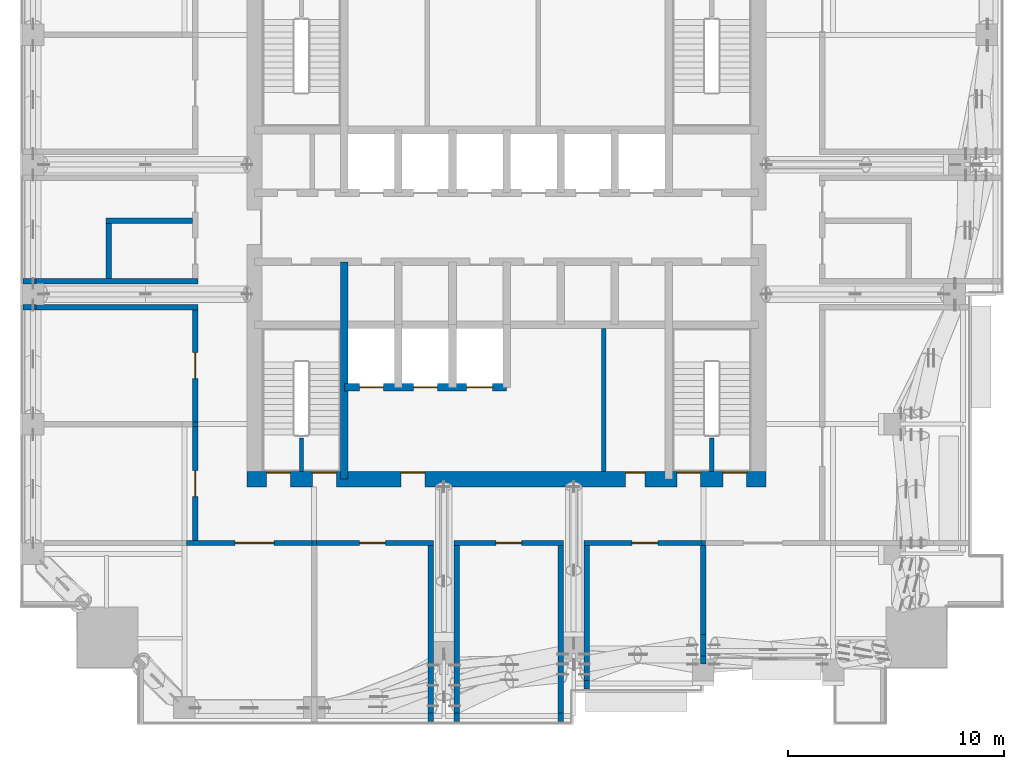
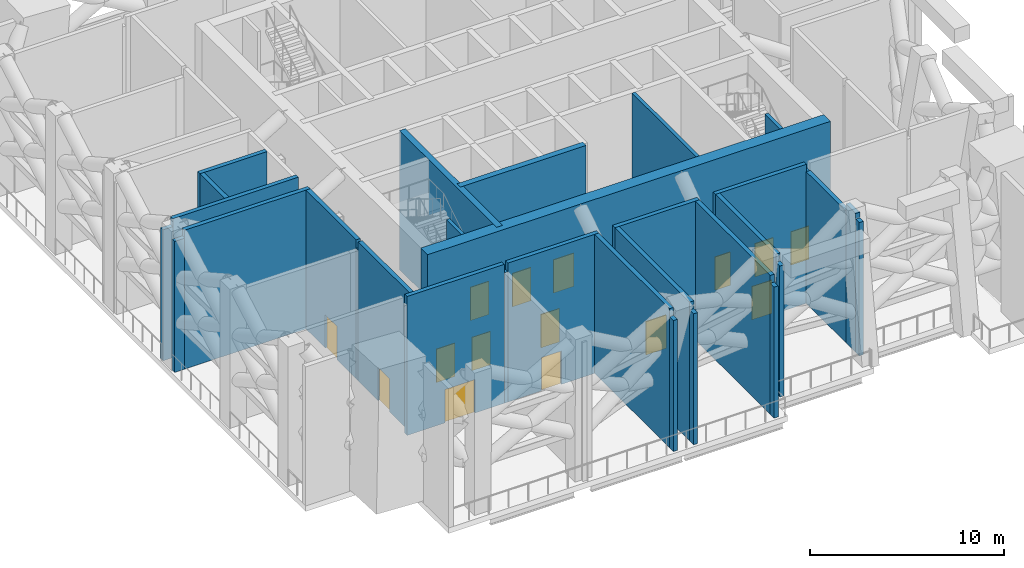
# One storey, part 7 of 18: 32 walls, 15 doors, 15 openings.
"""IFC4 building model written with IfcOpenShell, lengths in metres."""

from ifc_helpers import new_model, si_unit, direction, frame, frame_2d, origin, place, context, subcontext, project, spatial, rectangle, extrude, material, layer, layer_set, type_object, element, fill, save


model = new_model("IFC4")

# Units and contexts
model_context = context("Model", 3, precision=1e-05, world=origin(), true_north=direction((0.0, 1.0)))
body_context = subcontext(model_context, "Body", "Model", "MODEL_VIEW")
ifc_project = project(units=[si_unit("LENGTHUNIT", "METRE"), si_unit("AREAUNIT", "SQUARE_METRE"), si_unit("VOLUMEUNIT", "CUBIC_METRE"), si_unit("PLANEANGLEUNIT", "RADIAN"), si_unit("MASSUNIT", "GRAM", prefix="KILO")], contexts=[model_context])

# Site, building, storey
site_placement = place(None, origin())
site = spatial("IfcSite", under=ifc_project, at=site_placement, CompositionType="ELEMENT")
building_placement = place(site_placement, origin())
building = spatial("IfcBuilding", under=site, at=building_placement, Name="Amberfall Residences", CompositionType="ELEMENT")
storey_placement = place(building_placement, frame((0.0, 0.0, 178.0)))
storey = spatial("IfcBuildingStorey", under=building, at=storey_placement, Name="L48", CompositionType="ELEMENT", Elevation=178.0)

# Wall, opening, door
ifc_material_1 = material(Name="Reinforced concrete C40", Category="concrete")
ifc_layer_1 = layer(ifc_material_1, 0.25)
ifc_layer_set_1 = layer_set([ifc_layer_1], Name="Compartment wall 250")
wall_type_1 = type_object("IfcWallType", Name="Compartment wall 250", PredefinedType="SOLIDWALL", material=ifc_layer_set_1)
wall_1_placement = place(storey_placement, frame((59.705322265625, 30.89990234375, 0.0), z_axis=(0.0, 0.0, 1.0), x_axis=(1.0, 0.0, 0.0)))
wall_1 = element("IfcWall", 1, at=wall_1_placement, inside=storey, type_object=wall_type_1, Name="Compartment wall 250 L48 003", PredefinedType="SOLIDWALL", context=body_context, shape_type="SweptSolid", body=[
    extrude(rectangle(XDim=5.7900390625, YDim=0.25, at=frame_2d((2.89501953125, 0.0))), origin(), (0.0, 0.0, 1.0), 8.75),
])
opening_1_placement = place(wall_1_placement, frame((2.24462890625, 0.0, 0.0)))
opening_1 = element("IfcOpeningElement", 2, at=opening_1_placement, cuts=wall_1, Name="Opening D13", PredefinedType="OPENING", context=body_context, shape_type="SweptSolid", body=[
    extrude(rectangle(XDim=1.800048828125, YDim=2.10009765625, at=frame_2d((0.89990234375, 1.050048828125))), frame((0.0, 0.135009765625, 0.0), z_axis=(0.0, -1.0, 0.0), x_axis=(1.0, 0.0, 0.0)), (0.0, 0.0, 1.0), 0.27001953125),
])
ifc_material_2 = material(Name="Steel fire door leaf", Category="steel")
door_type_1 = type_object("IfcDoorType", Name="Double fire door 1800x2100 FD60", OperationType="DOUBLE_DOOR_SINGLE_SWING", PredefinedType="DOOR", material=ifc_material_2)
door_1_placement = place(opening_1_placement, origin())
door_1 = element("IfcDoor", 3, at=door_1_placement, inside=storey, type_object=door_type_1, Name="Door Refuge area 1", OperationType="DOUBLE_DOOR_SINGLE_SWING", OverallHeight=2.10009765625, OverallWidth=1.800048828125, PredefinedType="DOOR", context=body_context, shape_type="SweptSolid", body=[
    extrude(rectangle(XDim=1.800048828125, YDim=2.10009765625, at=frame_2d((0.89990234375, 1.050048828125))), frame((0.0, 0.02490234375, 0.0), z_axis=(0.0, -1.0, 0.0), x_axis=(1.0, 0.0, 0.0)), (0.0, 0.0, 1.0), 0.050048828125),
])
fill(opening_1, door_1)

# Wall
wall_2_placement = place(storey_placement, frame((65.495361328125, 30.89990234375, 0.0), z_axis=(0.0, 0.0, 1.0), x_axis=(1.0, 0.0, 0.0)))
element("IfcWall", 4, at=wall_2_placement, inside=storey, type_object=wall_type_1, Name="Compartment wall 250 L48 004", PredefinedType="SOLIDWALL", context=body_context, shape_type="SweptSolid", body=[
    extrude(rectangle(XDim=0.209228515625, YDim=0.25, at=frame_2d((0.1044921875, 0.0))), origin(), (0.0, 0.0, 1.0), 8.217041015625),
])

# Wall, opening, door
wall_3_placement = place(storey_placement, frame((65.70458984375, 30.89990234375, 0.0), z_axis=(0.0, 0.0, 1.0), x_axis=(1.0, 0.0, 0.0)))
wall_3 = element("IfcWall", 5, at=wall_3_placement, inside=storey, type_object=wall_type_1, Name="Compartment wall 250 L48 005", PredefinedType="SOLIDWALL", context=body_context, shape_type="SweptSolid", body=[
    extrude(rectangle(XDim=5.42041015625, YDim=0.25, at=frame_2d((2.710205078125, 0.0))), origin(), (0.0, 0.0, 1.0), 8.75),
])
opening_2_placement = place(wall_3_placement, frame((1.995361328125, 0.0, 0.0)))
opening_2 = element("IfcOpeningElement", 6, at=opening_2_placement, cuts=wall_3, Name="Opening D6", PredefinedType="OPENING", context=body_context, shape_type="SweptSolid", body=[
    extrude(rectangle(XDim=1.199951171875, YDim=2.10009765625, at=frame_2d((0.60009765625, 1.050048828125))), frame((0.0, 0.135009765625, 0.0), z_axis=(0.0, -1.0, 0.0), x_axis=(1.0, 0.0, 0.0)), (0.0, 0.0, 1.0), 0.27001953125),
])
door_type_2 = type_object("IfcDoorType", Name="Exit door 1200x2100", OperationType="SINGLE_SWING_LEFT", PredefinedType="DOOR", material=ifc_material_2)
door_2_placement = place(opening_2_placement, origin())
door_2 = element("IfcDoor", 7, at=door_2_placement, inside=storey, type_object=door_type_2, Name="Door Refuge area 2", OperationType="SINGLE_SWING_LEFT", OverallHeight=2.10009765625, OverallWidth=1.199951171875, PredefinedType="DOOR", context=body_context, shape_type="SweptSolid", body=[
    extrude(rectangle(XDim=1.199951171875, YDim=2.10009765625, at=frame_2d((0.60009765625, 1.050048828125))), frame((0.0, 0.02490234375, 0.0), z_axis=(0.0, -1.0, 0.0), x_axis=(1.0, 0.0, 0.0)), (0.0, 0.0, 1.0), 0.050048828125),
])
fill(opening_2, door_2)

wall_4_placement = place(storey_placement, frame((72.074951171875, 30.89990234375, 0.0), z_axis=(0.0, 0.0, 1.0), x_axis=(1.0, 0.0, 0.0)))
wall_4 = element("IfcWall", 8, at=wall_4_placement, inside=storey, type_object=wall_type_1, Name="Compartment wall 250 L48 006", PredefinedType="SOLIDWALL", context=body_context, shape_type="SweptSolid", body=[
    extrude(rectangle(XDim=5.050048828125, YDim=0.25, at=frame_2d((2.52490234375, 0.0))), origin(), (0.0, 0.0, 1.0), 8.75),
])
opening_3_placement = place(wall_4_placement, frame((1.925048828125, 0.0, 0.0)))
opening_3 = element("IfcOpeningElement", 9, at=opening_3_placement, cuts=wall_4, Name="Opening D6", PredefinedType="OPENING", context=body_context, shape_type="SweptSolid", body=[
    extrude(rectangle(XDim=1.199951171875, YDim=2.10009765625, at=frame_2d((0.60009765625, 1.050048828125))), frame((0.0, 0.135009765625, 0.0), z_axis=(0.0, -1.0, 0.0), x_axis=(1.0, 0.0, 0.0)), (0.0, 0.0, 1.0), 0.27001953125),
])
door_3_placement = place(opening_3_placement, origin())
door_3 = element("IfcDoor", 10, at=door_3_placement, inside=storey, type_object=door_type_2, Name="Door Refuge area 3", OperationType="SINGLE_SWING_LEFT", OverallHeight=2.10009765625, OverallWidth=1.199951171875, PredefinedType="DOOR", context=body_context, shape_type="SweptSolid", body=[
    extrude(rectangle(XDim=1.199951171875, YDim=2.10009765625, at=frame_2d((0.60009765625, 1.050048828125))), frame((0.0, 0.02490234375, 0.0), z_axis=(0.0, -1.0, 0.0), x_axis=(1.0, 0.0, 0.0)), (0.0, 0.0, 1.0), 0.050048828125),
])
fill(opening_3, door_3)

wall_5_placement = place(storey_placement, frame((78.074951171875, 30.89990234375, 0.0), z_axis=(0.0, 0.0, 1.0), x_axis=(1.0, 0.0, 0.0)))
wall_5 = element("IfcWall", 11, at=wall_5_placement, inside=storey, type_object=wall_type_1, Name="Compartment wall 250 L48 007", PredefinedType="SOLIDWALL", context=body_context, shape_type="SweptSolid", body=[
    extrude(rectangle(XDim=5.429443359375, YDim=0.25, at=frame_2d((2.71484375, 0.0))), origin(), (0.0, 0.0, 1.0), 8.75),
])
opening_4_placement = place(wall_5_placement, frame((2.22509765625, 0.0, 0.0)))
opening_4 = element("IfcOpeningElement", 12, at=opening_4_placement, cuts=wall_5, Name="Opening D6", PredefinedType="OPENING", context=body_context, shape_type="SweptSolid", body=[
    extrude(rectangle(XDim=1.199951171875, YDim=2.10009765625, at=frame_2d((0.60009765625, 1.050048828125))), frame((0.0, 0.135009765625, 0.0), z_axis=(0.0, -1.0, 0.0), x_axis=(1.0, 0.0, 0.0)), (0.0, 0.0, 1.0), 0.27001953125),
])
door_4_placement = place(opening_4_placement, origin())
door_4 = element("IfcDoor", 13, at=door_4_placement, inside=storey, type_object=door_type_2, Name="Door Refuge area 4", OperationType="SINGLE_SWING_LEFT", OverallHeight=2.10009765625, OverallWidth=1.199951171875, PredefinedType="DOOR", context=body_context, shape_type="SweptSolid", body=[
    extrude(rectangle(XDim=1.199951171875, YDim=2.10009765625, at=frame_2d((0.60009765625, 1.050048828125))), frame((0.0, 0.02490234375, 0.0), z_axis=(0.0, -1.0, 0.0), x_axis=(1.0, 0.0, 0.0)), (0.0, 0.0, 1.0), 0.050048828125),
])
fill(opening_4, door_4)

# Walls
wall_6_placement = place(storey_placement, frame((83.50439453125, 30.89990234375, 0.0), z_axis=(0.0, 0.0, 1.0), x_axis=(1.0, 0.0, 0.0)))
element("IfcWall", 14, at=wall_6_placement, inside=storey, type_object=wall_type_1, Name="Compartment wall 250 L48 008", PredefinedType="SOLIDWALL", context=body_context, shape_type="SweptSolid", body=[
    extrude(rectangle(XDim=0.19140625, YDim=0.25, at=frame_2d((0.095703125, 0.0))), origin(), (0.0, 0.0, 1.0), 8.2900390625),
])
wall_7_placement = place(storey_placement, frame((52.14990234375, 41.800048828125, 0.0), z_axis=(0.0, 0.0, 1.0), x_axis=(1.0, 0.0, 0.0)))
element("IfcWall", 15, at=wall_7_placement, inside=storey, type_object=wall_type_1, Name="Compartment wall 250 L48 016", PredefinedType="SOLIDWALL", context=body_context, shape_type="SweptSolid", body=[
    extrude(rectangle(XDim=0.60009765625, YDim=0.25, at=frame_2d((0.300048828125, 0.0))), origin(), (0.0, 0.0, 1.0), 8.25),
])
wall_8_placement = place(storey_placement, frame((52.75, 41.800048828125, 0.0), z_axis=(0.0, 0.0, 1.0), x_axis=(1.0, 0.0, 0.0)))
element("IfcWall", 16, at=wall_8_placement, inside=storey, type_object=wall_type_1, Name="Compartment wall 250 L48 017", PredefinedType="SOLIDWALL", context=body_context, shape_type="SweptSolid", body=[
    extrude(rectangle(XDim=7.47509765625, YDim=0.25, at=frame_2d((3.737548828125, 0.0))), origin(), (0.0, 0.0, 1.0), 8.75),
])
wall_9_placement = place(storey_placement, frame((52.14990234375, 43.0, 0.0), z_axis=(0.0, 0.0, 1.0), x_axis=(1.0, 0.0, 0.0)))
element("IfcWall", 17, at=wall_9_placement, inside=storey, type_object=wall_type_1, Name="Compartment wall 250 L48 020", PredefinedType="SOLIDWALL", context=body_context, shape_type="SweptSolid", body=[
    extrude(rectangle(XDim=0.60009765625, YDim=0.25, at=frame_2d((0.300048828125, 0.0))), origin(), (0.0, 0.0, 1.0), 8.25),
])
wall_10_placement = place(storey_placement, frame((52.75, 43.0, 0.0), z_axis=(0.0, 0.0, 1.0), x_axis=(1.0, 0.0, 0.0)))
element("IfcWall", 18, at=wall_10_placement, inside=storey, type_object=wall_type_1, Name="Compartment wall 250 L48 021", PredefinedType="SOLIDWALL", context=body_context, shape_type="SweptSolid", body=[
    extrude(rectangle(XDim=7.47509765625, YDim=0.25, at=frame_2d((3.737548828125, 0.0))), origin(), (0.0, 0.0, 1.0), 8.75),
])
wall_11_placement = place(storey_placement, frame((55.97509765625, 45.800048828125, 0.0), z_axis=(0.0, 0.0, 1.0), x_axis=(1.0, 0.0, 0.0)))
element("IfcWall", 19, at=wall_11_placement, inside=storey, type_object=wall_type_1, Name="Compartment wall 250 L48 024", PredefinedType="SOLIDWALL", context=body_context, shape_type="SweptSolid", body=[
    extrude(rectangle(XDim=4.0, YDim=0.25, at=frame_2d((2.0, 0.0))), origin(), (0.0, 0.0, 1.0), 8.75),
])
wall_12_placement = place(storey_placement, frame((56.10009765625, 43.125, 0.0), z_axis=(0.0, 0.0, 1.0), x_axis=(0.0, 1.0, 0.0)))
element("IfcWall", 20, at=wall_12_placement, inside=storey, type_object=wall_type_1, Name="Compartment wall 250 L48 048", PredefinedType="SOLIDWALL", context=body_context, shape_type="SweptSolid", body=[
    extrude(rectangle(XDim=2.550048828125, YDim=0.25, at=frame_2d((1.27490234375, 0.0))), origin(), (0.0, 0.0, 1.0), 8.75),
])

# Wall, opening, door
wall_13_placement = place(storey_placement, frame((60.10009765625, 31.02490234375, 0.0), z_axis=(0.0, 0.0, 1.0), x_axis=(0.0, 1.0, 0.0)))
wall_13 = element("IfcWall", 21, at=wall_13_placement, inside=storey, type_object=wall_type_1, Name="Compartment wall 250 L48 049", PredefinedType="SOLIDWALL", context=body_context, shape_type="SweptSolid", body=[
    extrude(rectangle(XDim=5.2705078125, YDim=0.25, at=frame_2d((2.63525390625, 0.0))), origin(), (0.0, 0.0, 1.0), 8.75),
])
opening_5_placement = place(wall_13_placement, frame((2.02490234375, 0.0, 0.0)))
opening_5 = element("IfcOpeningElement", 22, at=opening_5_placement, cuts=wall_13, Name="Opening D6", PredefinedType="OPENING", context=body_context, shape_type="SweptSolid", body=[
    extrude(rectangle(XDim=1.199951171875, YDim=2.10009765625, at=frame_2d((0.60009765625, 1.050048828125))), frame((0.0, 0.135009765625, 0.0), z_axis=(0.0, -1.0, 0.0), x_axis=(1.0, 0.0, 0.0)), (0.0, 0.0, 1.0), 0.27001953125),
])
door_5_placement = place(opening_5_placement, origin())
door_5 = element("IfcDoor", 23, at=door_5_placement, inside=storey, type_object=door_type_2, Name="Door Refuge area 9", OperationType="SINGLE_SWING_LEFT", OverallHeight=2.10009765625, OverallWidth=1.199951171875, PredefinedType="DOOR", context=body_context, shape_type="SweptSolid", body=[
    extrude(rectangle(XDim=1.199951171875, YDim=2.10009765625, at=frame_2d((0.60009765625, 1.050048828125))), frame((0.0, 0.02490234375, 0.0), z_axis=(0.0, -1.0, 0.0), x_axis=(1.0, 0.0, 0.0)), (0.0, 0.0, 1.0), 0.050048828125),
])
fill(opening_5, door_5)

# Wall
wall_14_placement = place(storey_placement, frame((60.10009765625, 36.29541015625, 0.0), z_axis=(0.0, 0.0, 1.0), x_axis=(0.0, 1.0, 0.0)))
element("IfcWall", 24, at=wall_14_placement, inside=storey, type_object=wall_type_1, Name="Compartment wall 250 L48 050", PredefinedType="SOLIDWALL", context=body_context, shape_type="SweptSolid", body=[
    extrude(rectangle(XDim=0.209228515625, YDim=0.25, at=frame_2d((0.1044921875, 0.0))), origin(), (0.0, 0.0, 1.0), 8.217041015625),
])

# Wall, opening, door
wall_15_placement = place(storey_placement, frame((60.10009765625, 36.504638671875, 0.0), z_axis=(0.0, 0.0, 1.0), x_axis=(0.0, 1.0, 0.0)))
wall_15 = element("IfcWall", 25, at=wall_15_placement, inside=storey, type_object=wall_type_1, Name="Compartment wall 250 L48 051", PredefinedType="SOLIDWALL", context=body_context, shape_type="SweptSolid", body=[
    extrude(rectangle(XDim=5.17041015625, YDim=0.25, at=frame_2d((2.585205078125, 0.0))), origin(), (0.0, 0.0, 1.0), 8.75),
])
opening_6_placement = place(wall_15_placement, frame((1.995361328125, 0.0, 0.0)))
opening_6 = element("IfcOpeningElement", 26, at=opening_6_placement, cuts=wall_15, Name="Opening D6", PredefinedType="OPENING", context=body_context, shape_type="SweptSolid", body=[
    extrude(rectangle(XDim=1.199951171875, YDim=2.10009765625, at=frame_2d((0.60009765625, 1.050048828125))), frame((0.0, 0.135009765625, 0.0), z_axis=(0.0, -1.0, 0.0), x_axis=(1.0, 0.0, 0.0)), (0.0, 0.0, 1.0), 0.27001953125),
])
door_6_placement = place(opening_6_placement, origin())
door_6 = element("IfcDoor", 27, at=door_6_placement, inside=storey, type_object=door_type_2, Name="Door Refuge area 10", OperationType="SINGLE_SWING_LEFT", OverallHeight=2.10009765625, OverallWidth=1.199951171875, PredefinedType="DOOR", context=body_context, shape_type="SweptSolid", body=[
    extrude(rectangle(XDim=1.199951171875, YDim=2.10009765625, at=frame_2d((0.60009765625, 1.050048828125))), frame((0.0, 0.02490234375, 0.0), z_axis=(0.0, -1.0, 0.0), x_axis=(1.0, 0.0, 0.0)), (0.0, 0.0, 1.0), 0.050048828125),
])
fill(opening_6, door_6)

# Walls
wall_16_placement = place(storey_placement, frame((71.0, 22.64990234375, 0.0), z_axis=(0.0, 0.0, 1.0), x_axis=(0.0, 1.0, 0.0)))
element("IfcWall", 28, at=wall_16_placement, inside=storey, type_object=wall_type_1, Name="Compartment wall 250 L48 058", PredefinedType="SOLIDWALL", context=body_context, shape_type="SweptSolid", body=[
    extrude(rectangle(XDim=0.400146484375, YDim=0.25, at=frame_2d((0.2001953125, 0.0))), origin(), (0.0, 0.0, 1.0), 8.25),
])
wall_17_placement = place(storey_placement, frame((71.0, 23.050048828125, 0.0), z_axis=(0.0, 0.0, 1.0), x_axis=(0.0, 1.0, 0.0)))
element("IfcWall", 29, at=wall_17_placement, inside=storey, type_object=wall_type_1, Name="Compartment wall 250 L48 059", PredefinedType="SOLIDWALL", context=body_context, shape_type="SweptSolid", body=[
    extrude(rectangle(XDim=7.724853515625, YDim=0.25, at=frame_2d((3.8623046875, 0.0))), origin(), (0.0, 0.0, 1.0), 8.75),
])
wall_18_placement = place(storey_placement, frame((72.199951171875, 22.64990234375, 0.0), z_axis=(0.0, 0.0, 1.0), x_axis=(0.0, 1.0, 0.0)))
element("IfcWall", 30, at=wall_18_placement, inside=storey, type_object=wall_type_1, Name="Compartment wall 250 L48 062", PredefinedType="SOLIDWALL", context=body_context, shape_type="SweptSolid", body=[
    extrude(rectangle(XDim=0.400146484375, YDim=0.25, at=frame_2d((0.2001953125, 0.0))), origin(), (0.0, 0.0, 1.0), 8.25),
])
wall_19_placement = place(storey_placement, frame((72.199951171875, 23.050048828125, 0.0), z_axis=(0.0, 0.0, 1.0), x_axis=(0.0, 1.0, 0.0)))
element("IfcWall", 31, at=wall_19_placement, inside=storey, type_object=wall_type_1, Name="Compartment wall 250 L48 063", PredefinedType="SOLIDWALL", context=body_context, shape_type="SweptSolid", body=[
    extrude(rectangle(XDim=7.724853515625, YDim=0.25, at=frame_2d((3.8623046875, 0.0))), origin(), (0.0, 0.0, 1.0), 8.75),
])
wall_20_placement = place(storey_placement, frame((77.0, 22.64990234375, 0.0), z_axis=(0.0, 0.0, 1.0), x_axis=(0.0, 1.0, 0.0)))
element("IfcWall", 32, at=wall_20_placement, inside=storey, type_object=wall_type_1, Name="Compartment wall 250 L48 066", PredefinedType="SOLIDWALL", context=body_context, shape_type="SweptSolid", body=[
    extrude(rectangle(XDim=0.400146484375, YDim=0.25, at=frame_2d((0.2001953125, 0.0))), origin(), (0.0, 0.0, 1.0), 8.25),
])
wall_21_placement = place(storey_placement, frame((77.0, 23.050048828125, 0.0), z_axis=(0.0, 0.0, 1.0), x_axis=(0.0, 1.0, 0.0)))
element("IfcWall", 33, at=wall_21_placement, inside=storey, type_object=wall_type_1, Name="Compartment wall 250 L48 067", PredefinedType="SOLIDWALL", context=body_context, shape_type="SweptSolid", body=[
    extrude(rectangle(XDim=7.724853515625, YDim=0.25, at=frame_2d((3.8623046875, 0.0))), origin(), (0.0, 0.0, 1.0), 8.75),
])
wall_22_placement = place(storey_placement, frame((78.199951171875, 24.14990234375, 0.0), z_axis=(0.0, 0.0, 1.0), x_axis=(0.0, 1.0, 0.0)))
element("IfcWall", 34, at=wall_22_placement, inside=storey, type_object=wall_type_1, Name="Compartment wall 250 L48 070", PredefinedType="SOLIDWALL", context=body_context, shape_type="SweptSolid", body=[
    extrude(rectangle(XDim=0.400146484375, YDim=0.25, at=frame_2d((0.2001953125, 0.0))), origin(), (0.0, 0.0, 1.0), 8.25),
])
wall_23_placement = place(storey_placement, frame((78.199951171875, 24.550048828125, 0.0), z_axis=(0.0, 0.0, 1.0), x_axis=(0.0, 1.0, 0.0)))
element("IfcWall", 35, at=wall_23_placement, inside=storey, type_object=wall_type_1, Name="Compartment wall 250 L48 071", PredefinedType="SOLIDWALL", context=body_context, shape_type="SweptSolid", body=[
    extrude(rectangle(XDim=6.224853515625, YDim=0.25, at=frame_2d((3.1123046875, 0.0))), origin(), (0.0, 0.0, 1.0), 8.75),
])
wall_24_placement = place(storey_placement, frame((83.60009765625, 25.300048828125, 0.0), z_axis=(0.0, 0.0, 1.0), x_axis=(0.0, 1.0, 0.0)))
element("IfcWall", 36, at=wall_24_placement, inside=storey, type_object=wall_type_1, Name="Compartment wall 250 L48 074", PredefinedType="SOLIDWALL", context=body_context, shape_type="SweptSolid", body=[
    extrude(rectangle(XDim=0.369384765625, YDim=0.25, at=frame_2d((0.1845703125, 0.0))), origin(), (0.0, 0.0, 1.0), 8.39892578125),
])
wall_25_placement = place(storey_placement, frame((83.60009765625, 25.66943359375, 0.0), z_axis=(0.0, 0.0, 1.0), x_axis=(0.0, 1.0, 0.0)))
element("IfcWall", 37, at=wall_25_placement, inside=storey, type_object=wall_type_1, Name="Compartment wall 250 L48 075", PredefinedType="SOLIDWALL", context=body_context, shape_type="SweptSolid", body=[
    extrude(rectangle(XDim=1.01220703125, YDim=0.25, at=frame_2d((0.506103515625, 0.0))), origin(), (0.0, 0.0, 1.0), 8.75),
])
wall_26_placement = place(storey_placement, frame((83.60009765625, 26.681640625, 0.0), z_axis=(0.0, 0.0, 1.0), x_axis=(0.0, 1.0, 0.0)))
element("IfcWall", 38, at=wall_26_placement, inside=storey, type_object=wall_type_1, Name="Compartment wall 250 L48 076", PredefinedType="SOLIDWALL", context=body_context, shape_type="SweptSolid", body=[
    extrude(rectangle(XDim=4.09326171875, YDim=0.25, at=frame_2d((2.046630859375, 0.0))), origin(), (0.0, 0.0, 1.0), 8.2900390625),
])
ifc_material_3 = material(Name="Concrete C60", Category="concrete")
ifc_layer_2 = layer(ifc_material_3, 0.35009765625)
ifc_layer_set_2 = layer_set([ifc_layer_2], Name="Core wall 350 C60")
wall_type_2 = type_object("IfcWallType", Name="Core wall 350 C60", PredefinedType="SHEAR", material=ifc_layer_set_2)
wall_27_placement = place(storey_placement, frame((67.0, 33.85009765625, 0.0), z_axis=(0.0, 0.0, 1.0), x_axis=(0.0, 1.0, 0.0)))
element("IfcWall", 39, at=wall_27_placement, inside=storey, type_object=wall_type_2, Name="Core wall RW6 L48 V45S", PredefinedType="SHEAR", context=body_context, shape_type="SweptSolid", body=[
    extrude(rectangle(XDim=10.0498046875, YDim=0.35009765625, at=frame_2d((5.02490234375, 0.0))), origin(), (0.0, 0.0, 1.0), 8.75),
])

# Wall, openings, doors
wall_28_placement = place(storey_placement, frame((67.0, 38.10009765625, 0.0), z_axis=(0.0, 0.0, 1.0), x_axis=(1.0, 0.0, 0.0)))
wall_28 = element("IfcWall", 40, at=wall_28_placement, inside=storey, type_object=wall_type_2, Name="Core wall RW6 L48 FFF", PredefinedType="SHEAR", context=body_context, shape_type="SweptSolid", body=[
    extrude(rectangle(XDim=7.5, YDim=0.35009765625, at=frame_2d((3.75, 0.0))), origin(), (0.0, 0.0, 1.0), 8.75),
])
opening_7_placement = place(wall_28_placement, frame((0.699951171875, 0.0, 0.0)))
opening_7 = element("IfcOpeningElement", 41, at=opening_7_placement, cuts=wall_28, Name="Opening LD2", PredefinedType="OPENING", context=body_context, shape_type="SweptSolid", body=[
    extrude(rectangle(XDim=1.10009765625, YDim=2.10009765625, at=frame_2d((0.550048828125, 1.050048828125))), frame((0.0, 0.18505859375, 0.0), z_axis=(0.0, -1.0, 0.0), x_axis=(1.0, 0.0, 0.0)), (0.0, 0.0, 1.0), 0.3701171875),
])
opening_8_placement = place(wall_28_placement, frame((3.199951171875, 0.0, 0.0)))
opening_8 = element("IfcOpeningElement", 42, at=opening_8_placement, cuts=wall_28, Name="Opening LD2", PredefinedType="OPENING", context=body_context, shape_type="SweptSolid", body=[
    extrude(rectangle(XDim=1.10009765625, YDim=2.10009765625, at=frame_2d((0.550048828125, 1.050048828125))), frame((0.0, 0.18505859375, 0.0), z_axis=(0.0, -1.0, 0.0), x_axis=(1.0, 0.0, 0.0)), (0.0, 0.0, 1.0), 0.3701171875),
])
opening_9_placement = place(wall_28_placement, frame((5.64990234375, 0.0, 0.0)))
opening_9 = element("IfcOpeningElement", 43, at=opening_9_placement, cuts=wall_28, Name="Opening LD3", PredefinedType="OPENING", context=body_context, shape_type="SweptSolid", body=[
    extrude(rectangle(XDim=1.199951171875, YDim=2.10009765625, at=frame_2d((0.60009765625, 1.050048828125))), frame((0.0, 0.18505859375, 0.0), z_axis=(0.0, -1.0, 0.0), x_axis=(1.0, 0.0, 0.0)), (0.0, 0.0, 1.0), 0.3701171875),
])
ifc_material_4 = material(Name="Steel fire door set", Category="steel")
door_type_3 = type_object("IfcDoorType", Name="Firefighting lift landing door 1100 x 2100", OperationType="DOUBLE_DOOR_SLIDING", PredefinedType="DOOR", material=ifc_material_4)
door_7_placement = place(opening_7_placement, origin())
door_7 = element("IfcDoor", 44, at=door_7_placement, inside=storey, type_object=door_type_3, Name="Landing door FF1 L48", OperationType="DOUBLE_DOOR_SLIDING", OverallHeight=2.10009765625, OverallWidth=1.10009765625, PredefinedType="DOOR", context=body_context, shape_type="SweptSolid", body=[
    extrude(rectangle(XDim=1.10009765625, YDim=2.10009765625, at=frame_2d((0.550048828125, 1.050048828125))), frame((0.0, 0.02490234375, 0.0), z_axis=(0.0, -1.0, 0.0), x_axis=(1.0, 0.0, 0.0)), (0.0, 0.0, 1.0), 0.050048828125),
])
fill(opening_7, door_7)
door_8_placement = place(opening_8_placement, origin())
door_8 = element("IfcDoor", 45, at=door_8_placement, inside=storey, type_object=door_type_3, Name="Landing door FF2 L48", OperationType="DOUBLE_DOOR_SLIDING", OverallHeight=2.10009765625, OverallWidth=1.10009765625, PredefinedType="DOOR", context=body_context, shape_type="SweptSolid", body=[
    extrude(rectangle(XDim=1.10009765625, YDim=2.10009765625, at=frame_2d((0.550048828125, 1.050048828125))), frame((0.0, 0.02490234375, 0.0), z_axis=(0.0, -1.0, 0.0), x_axis=(1.0, 0.0, 0.0)), (0.0, 0.0, 1.0), 0.050048828125),
])
fill(opening_8, door_8)
door_type_4 = type_object("IfcDoorType", Name="Service lift landing door 1200 x 2100", OperationType="DOUBLE_DOOR_SLIDING", PredefinedType="DOOR", material=ifc_material_4)
door_9_placement = place(opening_9_placement, origin())
door_9 = element("IfcDoor", 46, at=door_9_placement, inside=storey, type_object=door_type_4, Name="Landing door SL1 L48", OperationType="DOUBLE_DOOR_SLIDING", OverallHeight=2.10009765625, OverallWidth=1.199951171875, PredefinedType="DOOR", context=body_context, shape_type="SweptSolid", body=[
    extrude(rectangle(XDim=1.199951171875, YDim=2.10009765625, at=frame_2d((0.60009765625, 1.050048828125))), frame((0.0, 0.02490234375, 0.0), z_axis=(0.0, -1.0, 0.0), x_axis=(1.0, 0.0, 0.0)), (0.0, 0.0, 1.0), 0.050048828125),
])
fill(opening_9, door_9)

ifc_layer_3 = layer(ifc_material_3, 0.699951171875)
ifc_layer_set_3 = layer_set([ifc_layer_3], Name="Core wall 700 C60")
wall_type_3 = type_object("IfcWallType", Name="Core wall 700 C60", PredefinedType="SHEAR", material=ifc_layer_set_3)
wall_29_placement = place(storey_placement, frame((62.5, 33.85009765625, 0.0), z_axis=(0.0, 0.0, 1.0), x_axis=(1.0, 0.0, 0.0)))
wall_29 = element("IfcWall", 47, at=wall_29_placement, inside=storey, type_object=wall_type_3, Name="Core wall RW5 L48 OS", PredefinedType="SHEAR", context=body_context, shape_type="SweptSolid", body=[
    extrude(rectangle(XDim=24.0, YDim=0.699951171875, at=frame_2d((12.0, 0.0))), origin(), (0.0, 0.0, 1.0), 8.75),
])
opening_10_placement = place(wall_29_placement, frame((3.02490234375, 0.0, 0.0)))
opening_10 = element("IfcOpeningElement", 48, at=opening_10_placement, cuts=wall_29, Name="Opening SD1", PredefinedType="OPENING", context=body_context, shape_type="SweptSolid", body=[
    extrude(rectangle(XDim=1.10009765625, YDim=2.10009765625, at=frame_2d((0.550048828125, 1.050048828125))), frame((0.0, 0.35986328125, 0.0), z_axis=(0.0, -1.0, 0.0), x_axis=(1.0, 0.0, 0.0)), (0.0, 0.0, 1.0), 0.719970703125),
])
opening_11_placement = place(wall_29_placement, frame((0.89990234375, 0.0, 0.0)))
opening_11 = element("IfcOpeningElement", 49, at=opening_11_placement, cuts=wall_29, Name="Opening SD1", PredefinedType="OPENING", context=body_context, shape_type="SweptSolid", body=[
    extrude(rectangle(XDim=1.10009765625, YDim=2.10009765625, at=frame_2d((0.550048828125, 1.050048828125))), frame((0.0, 0.35986328125, 0.0), z_axis=(0.0, -1.0, 0.0), x_axis=(1.0, 0.0, 0.0)), (0.0, 0.0, 1.0), 0.719970703125),
])
opening_12_placement = place(wall_29_placement, frame((22.0, 0.0, 0.0)))
opening_12 = element("IfcOpeningElement", 50, at=opening_12_placement, cuts=wall_29, Name="Opening SD1", PredefinedType="OPENING", context=body_context, shape_type="SweptSolid", body=[
    extrude(rectangle(XDim=1.10009765625, YDim=2.10009765625, at=frame_2d((0.550048828125, 1.050048828125))), frame((0.0, 0.35986328125, 0.0), z_axis=(0.0, -1.0, 0.0), x_axis=(1.0, 0.0, 0.0)), (0.0, 0.0, 1.0), 0.719970703125),
])
opening_13_placement = place(wall_29_placement, frame((19.875, 0.0, 0.0)))
opening_13 = element("IfcOpeningElement", 51, at=opening_13_placement, cuts=wall_29, Name="Opening SD1", PredefinedType="OPENING", context=body_context, shape_type="SweptSolid", body=[
    extrude(rectangle(XDim=1.10009765625, YDim=2.10009765625, at=frame_2d((0.550048828125, 1.050048828125))), frame((0.0, 0.35986328125, 0.0), z_axis=(0.0, -1.0, 0.0), x_axis=(1.0, 0.0, 0.0)), (0.0, 0.0, 1.0), 0.719970703125),
])
opening_14_placement = place(wall_29_placement, frame((7.125, 0.0, 0.0)))
opening_14 = element("IfcOpeningElement", 52, at=opening_14_placement, cuts=wall_29, Name="Opening FL1", PredefinedType="OPENING", context=body_context, shape_type="SweptSolid", body=[
    extrude(rectangle(XDim=1.10009765625, YDim=2.10009765625, at=frame_2d((0.550048828125, 1.050048828125))), frame((0.0, 0.35986328125, 0.0), z_axis=(0.0, -1.0, 0.0), x_axis=(1.0, 0.0, 0.0)), (0.0, 0.0, 1.0), 0.719970703125),
])
opening_15_placement = place(wall_29_placement, frame((17.5, 0.0, 0.0)))
opening_15 = element("IfcOpeningElement", 53, at=opening_15_placement, cuts=wall_29, Name="Opening RD1", PredefinedType="OPENING", context=body_context, shape_type="SweptSolid", body=[
    extrude(rectangle(XDim=0.89990234375, YDim=2.10009765625, at=frame_2d((0.449951171875, 1.050048828125))), frame((0.0, 0.35986328125, 0.0), z_axis=(0.0, -1.0, 0.0), x_axis=(1.0, 0.0, 0.0)), (0.0, 0.0, 1.0), 0.719970703125),
])
door_type_5 = type_object("IfcDoorType", Name="Firefighting lobby door 1100 x 2100", OperationType="SINGLE_SWING_LEFT", PredefinedType="DOOR", material=ifc_material_4)
door_10_placement = place(opening_14_placement, origin())
door_10 = element("IfcDoor", 54, at=door_10_placement, inside=storey, type_object=door_type_5, Name="FL1 L48", OperationType="SINGLE_SWING_LEFT", OverallHeight=2.10009765625, OverallWidth=1.10009765625, PredefinedType="DOOR", context=body_context, shape_type="SweptSolid", body=[
    extrude(rectangle(XDim=1.10009765625, YDim=2.10009765625, at=frame_2d((0.550048828125, 1.050048828125))), frame((0.0, 0.33740234375, 0.0), z_axis=(0.0, -1.0, 0.0), x_axis=(1.0, 0.0, 0.0)), (0.0, 0.0, 1.0), 0.050048828125),
])
fill(opening_14, door_10)
door_type_6 = type_object("IfcDoorType", Name="Service room door 900 x 2100", OperationType="SINGLE_SWING_LEFT", PredefinedType="DOOR", material=ifc_material_4)
door_11_placement = place(opening_15_placement, origin())
door_11 = element("IfcDoor", 55, at=door_11_placement, inside=storey, type_object=door_type_6, Name="RD1 L48", OperationType="SINGLE_SWING_LEFT", OverallHeight=2.10009765625, OverallWidth=0.89990234375, PredefinedType="DOOR", context=body_context, shape_type="SweptSolid", body=[
    extrude(rectangle(XDim=0.89990234375, YDim=2.10009765625, at=frame_2d((0.449951171875, 1.050048828125))), frame((0.0, 0.33740234375, 0.0), z_axis=(0.0, -1.0, 0.0), x_axis=(1.0, 0.0, 0.0)), (0.0, 0.0, 1.0), 0.050048828125),
])
fill(opening_15, door_11)
door_type_7 = type_object("IfcDoorType", Name="Stair door 1100 x 2100", OperationType="SINGLE_SWING_LEFT", PredefinedType="DOOR", material=ifc_material_4)
door_12_placement = place(opening_10_placement, origin())
door_12 = element("IfcDoor", 56, at=door_12_placement, inside=storey, type_object=door_type_7, Name="SD1 L48", OperationType="SINGLE_SWING_LEFT", OverallHeight=2.10009765625, OverallWidth=1.10009765625, PredefinedType="DOOR", context=body_context, shape_type="SweptSolid", body=[
    extrude(rectangle(XDim=1.10009765625, YDim=2.10009765625, at=frame_2d((0.550048828125, 1.050048828125))), frame((0.0, 0.33740234375, 0.0), z_axis=(0.0, -1.0, 0.0), x_axis=(1.0, 0.0, 0.0)), (0.0, 0.0, 1.0), 0.050048828125),
])
fill(opening_10, door_12)
door_13_placement = place(opening_11_placement, origin())
door_13 = element("IfcDoor", 57, at=door_13_placement, inside=storey, type_object=door_type_7, Name="SD1 L48", OperationType="SINGLE_SWING_LEFT", OverallHeight=2.10009765625, OverallWidth=1.10009765625, PredefinedType="DOOR", context=body_context, shape_type="SweptSolid", body=[
    extrude(rectangle(XDim=1.10009765625, YDim=2.10009765625, at=frame_2d((0.550048828125, 1.050048828125))), frame((0.0, 0.33740234375, 0.0), z_axis=(0.0, -1.0, 0.0), x_axis=(1.0, 0.0, 0.0)), (0.0, 0.0, 1.0), 0.050048828125),
])
fill(opening_11, door_13)
door_14_placement = place(opening_12_placement, origin())
door_14 = element("IfcDoor", 58, at=door_14_placement, inside=storey, type_object=door_type_7, Name="SD1 L48", OperationType="SINGLE_SWING_RIGHT", OverallHeight=2.10009765625, OverallWidth=1.10009765625, PredefinedType="DOOR", context=body_context, shape_type="SweptSolid", body=[
    extrude(rectangle(XDim=1.10009765625, YDim=2.10009765625, at=frame_2d((0.550048828125, 1.050048828125))), frame((0.0, 0.33740234375, 0.0), z_axis=(0.0, -1.0, 0.0), x_axis=(1.0, 0.0, 0.0)), (0.0, 0.0, 1.0), 0.050048828125),
])
fill(opening_12, door_14)
door_15_placement = place(opening_13_placement, origin())
door_15 = element("IfcDoor", 59, at=door_15_placement, inside=storey, type_object=door_type_7, Name="SD1 L48", OperationType="SINGLE_SWING_RIGHT", OverallHeight=2.10009765625, OverallWidth=1.10009765625, PredefinedType="DOOR", context=body_context, shape_type="SweptSolid", body=[
    extrude(rectangle(XDim=1.10009765625, YDim=2.10009765625, at=frame_2d((0.550048828125, 1.050048828125))), frame((0.0, 0.33740234375, 0.0), z_axis=(0.0, -1.0, 0.0), x_axis=(1.0, 0.0, 0.0)), (0.0, 0.0, 1.0), 0.050048828125),
])
fill(opening_13, door_15)

# Walls
ifc_material_5 = material(Name="Concrete blockwork", Category="masonry")
ifc_layer_4 = layer(ifc_material_5, 0.199951171875)
ifc_layer_set_4 = layer_set([ifc_layer_4], Name="Riser wall 200")
wall_type_4 = type_object("IfcWallType", Name="Riser wall 200", PredefinedType="PLUMBINGWALL", material=ifc_layer_set_4)
wall_30_placement = place(storey_placement, frame((79.0, 34.199951171875, 0.0), z_axis=(0.0, 0.0, 1.0), x_axis=(0.0, 1.0, 0.0)))
element("IfcWall", 60, at=wall_30_placement, inside=storey, type_object=wall_type_4, Name="L48 core wall PX", PredefinedType="PLUMBINGWALL", context=body_context, shape_type="SweptSolid", body=[
    extrude(rectangle(XDim=6.625, YDim=0.199951171875, at=frame_2d((3.3125, 0.0))), origin(), (0.0, 0.0, 1.0), 8.75),
])
ifc_material_6 = material(Name="Concrete C40", Category="concrete")
ifc_layer_5 = layer(ifc_material_6, 0.199951171875)
ifc_layer_set_5 = layer_set([ifc_layer_5], Name="Stair separating wall 200")
wall_type_5 = type_object("IfcWallType", Name="Stair separating wall 200", PredefinedType="SHEAR", material=ifc_layer_set_5)
for number, where, z_axis, x_axis, name in (
    (61, (65.012451171875, 34.199951171875, 0.0), (0.0, 0.0, 1.0), (0.0, 1.0, 0.0), "L48 stair 1 separating wall"),
    (62, (83.987548828125, 34.199951171875, 0.0), (0.0, 0.0, 1.0), (0.0, 1.0, 0.0), "L48 stair 2 separating wall"),
):
    element("IfcWall", number, at=place(storey_placement, frame(where, z_axis=z_axis, x_axis=x_axis)), inside=storey, type_object=wall_type_5, Name=name, PredefinedType="SHEAR", context=body_context, shape_type="SweptSolid", body=[
        extrude(rectangle(XDim=1.550048828125, YDim=0.199951171875, at=frame_2d((0.77490234375, 0.0))), origin(), (0.0, 0.0, 1.0), 8.75),
    ])

save(model, "model.ifc")
